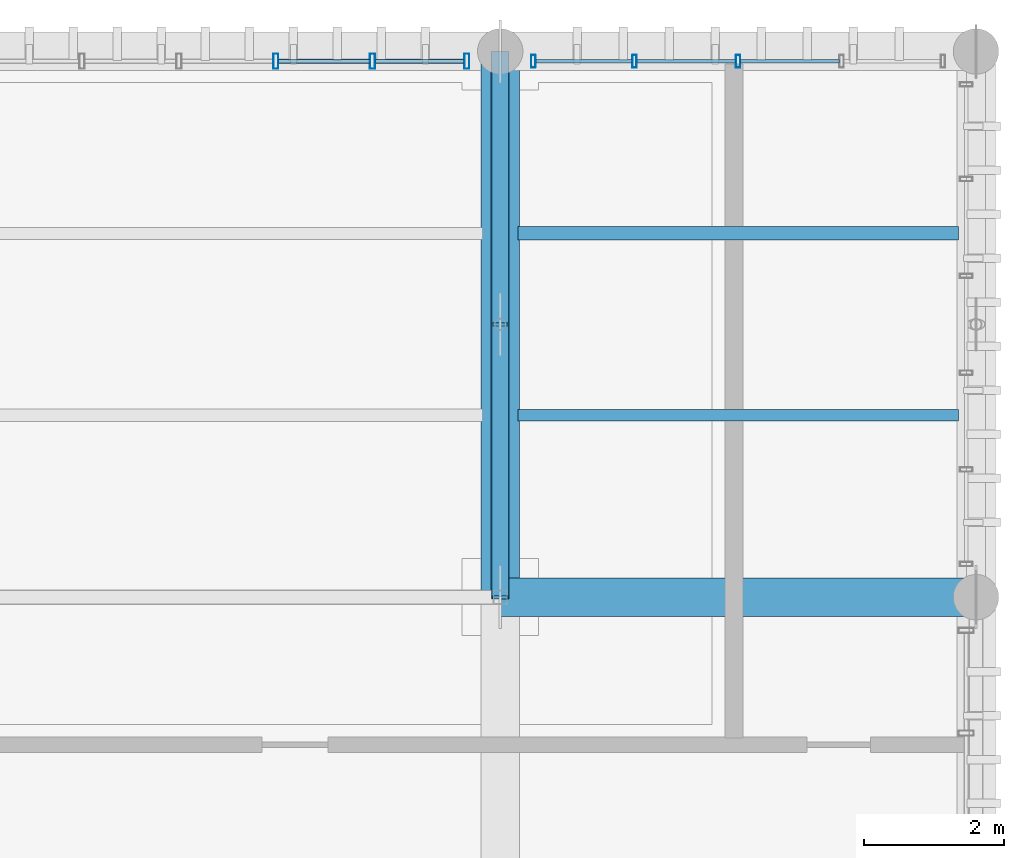
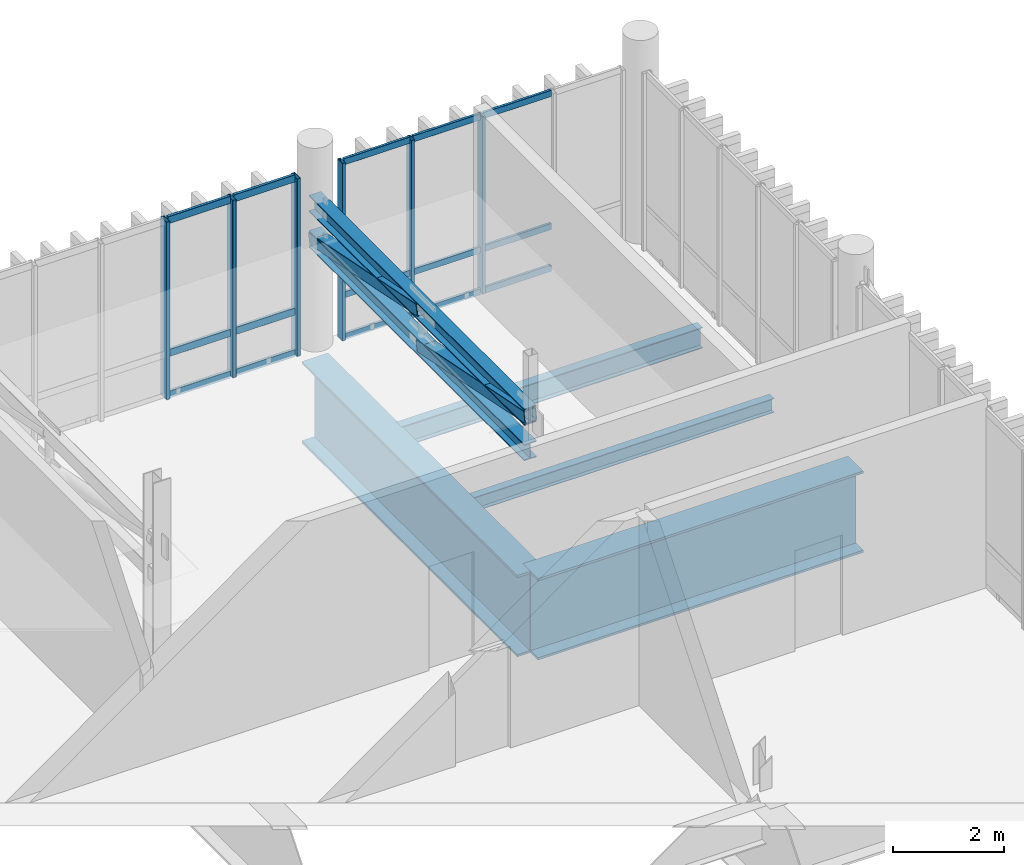
# One storey, part 38 of 53: 25 members, 4 beams, 2 elements without a shape of their own.
"""IFC4 building model written with IfcOpenShell, lengths in metres."""

from ifc_helpers import new_model, si_unit, direction, frame, origin_with_axes, origin_2d_with_axis, place, context, subcontext, project, spatial, hollow_rectangle, i_section, extrude, material, material_profile, profile_set, type_object, element, aggregate, save


model = new_model("IFC4")

# Units and contexts
model_context = context("Model", 3, precision=1e-05, world=origin_with_axes(), true_north=direction((0.0, 1.0)))
body_context = subcontext(model_context, "Body", "Model", "MODEL_VIEW")
ifc_project = project(units=[si_unit("LENGTHUNIT", "METRE"), si_unit("AREAUNIT", "SQUARE_METRE"), si_unit("VOLUMEUNIT", "CUBIC_METRE"), si_unit("PLANEANGLEUNIT", "RADIAN"), si_unit("MASSUNIT", "GRAM", prefix="KILO"), si_unit("THERMODYNAMICTEMPERATUREUNIT", "KELVIN")], contexts=[model_context])

# Site, building, storey
site_placement = place(None, origin_with_axes())
site = spatial("IfcSite", under=ifc_project, at=site_placement, CompositionType="ELEMENT")
building_placement = place(site_placement, origin_with_axes())
building = spatial("IfcBuilding", under=site, at=building_placement, Name="Montbau Bow Law Courts", CompositionType="ELEMENT")
storey_placement = place(building_placement, frame((0.0, 0.0, 39.0), z_axis=(0.0, 0.0, 1.0), x_axis=(1.0, 0.0, 0.0)))
storey = spatial("IfcBuildingStorey", under=building, at=storey_placement, Name="L08", CompositionType="ELEMENT", Elevation=39.0)

# Beams
ifc_material_1 = material(Name="Steel CSA G40.21 Grade 350W (350 MPa)", Category="steel")
ifc_material_profile_1 = material_profile(ifc_material_1, i_section(OverallWidth=0.191, OverallDepth=0.46, WebThickness=0.0099, FlangeThickness=0.016, at=origin_2d_with_axis()), Name="W460X82", Category="Main", Priority=0)
ifc_profile_set_1 = profile_set([ifc_material_profile_1], Name="Steel CSA G40.21 Grade 350W (350 MPa)")
beam_type_1 = type_object("IfcBeamType", Name="B-JST-01", PredefinedType="JOIST", material=ifc_profile_set_1)
beam_1_placement = place(None, frame((162.851, 108.4, 38.43), z_axis=(1.0, 0.0, 0.0), x_axis=(0.0, 1.0, 0.0)))
element("IfcBeam", 1, at=beam_1_placement, inside=storey, type_object=beam_type_1, Name="JST-L08-S0772:jst2_0772", PredefinedType="JOIST", context=body_context, shape_type="SweptSolid", body=[
    extrude(i_section(OverallWidth=0.191, OverallDepth=0.46, WebThickness=0.0099, FlangeThickness=0.016, at=origin_2d_with_axis()), origin_with_axes(), (0.0, 0.0, 1.0), 6.298),
])
ifc_material_profile_2 = material_profile(ifc_material_1, i_section(OverallWidth=0.166, OverallDepth=0.313, WebThickness=0.0066, FlangeThickness=0.0112, at=origin_2d_with_axis()), Name="W310X45", Category="Main", Priority=0)
ifc_profile_set_2 = profile_set([ifc_material_profile_2], Name="Steel CSA G40.21 Grade 350W (350 MPa)")
beam_type_2 = type_object("IfcBeamType", Name="B-JST-04", PredefinedType="JOIST", material=ifc_profile_set_2)
beam_2_placement = place(None, frame((162.851, 105.8, 38.503), z_axis=(1.0, 0.0, 0.0), x_axis=(0.0, 1.0, 0.0)))
element("IfcBeam", 2, at=beam_2_placement, inside=storey, type_object=beam_type_2, Name="JST-L08-S0771:jst2_0771", PredefinedType="JOIST", context=body_context, shape_type="SweptSolid", body=[
    extrude(i_section(OverallWidth=0.166, OverallDepth=0.313, WebThickness=0.0066, FlangeThickness=0.0112, at=origin_2d_with_axis()), origin_with_axes(), (0.0, 0.0, 1.0), 6.298),
])
ifc_material_2 = material(Name="Steel CSA G40.21 Grade 350WT (350 MPa)", Category="steel")
ifc_material_profile_3 = material_profile(ifc_material_2, i_section(OverallWidth=0.55, OverallDepth=1.8, WebThickness=0.022, FlangeThickness=0.05, at=origin_2d_with_axis()), Name="WWF1800X550", Category="Main", Priority=0)
ifc_profile_set_3 = profile_set([ifc_material_profile_3], Name="Steel CSA G40.21 Grade 350WT (350 MPa)")
beam_type_3 = type_object("IfcBeamType", Name="B-TRG-01", PredefinedType="USERDEFINED", material=ifc_profile_set_3)
beam_3_placement = place(None, frame((162.6, 103.2, 37.76), z_axis=(0.0, 1.0, 0.0), x_axis=(-1.0, 0.0, 0.0)))
element("IfcBeam", 3, at=beam_3_placement, inside=storey, type_object=beam_type_3, Name="TRG-L08-S0103:bm2_0106", ObjectType="GIRDER", PredefinedType="USERDEFINED", context=body_context, shape_type="SweptSolid", body=[
    extrude(i_section(OverallWidth=0.55, OverallDepth=1.8, WebThickness=0.022, FlangeThickness=0.05, at=origin_2d_with_axis()), origin_with_axes(), (0.0, 0.0, 1.0), 7.8),
])
beam_4_placement = place(None, frame((162.6, 103.2, 37.76), z_axis=(1.0, 0.0, 0.0), x_axis=(0.0, 1.0, 0.0)))
element("IfcBeam", 4, at=beam_4_placement, inside=storey, type_object=beam_type_3, Name="TRG-L08-S0115:bm2_0118", ObjectType="GIRDER", PredefinedType="USERDEFINED", context=body_context, shape_type="SweptSolid", body=[
    extrude(i_section(OverallWidth=0.55, OverallDepth=1.8, WebThickness=0.022, FlangeThickness=0.05, at=origin_2d_with_axis()), origin_with_axes(), (0.0, 0.0, 1.0), 6.8),
])

# Members
ifc_material_profile_4 = material_profile(ifc_material_1, hollow_rectangle(XDim=0.254, YDim=0.254, WallThickness=0.0127, InnerFilletRadius=0.0254, OuterFilletRadius=0.0127, at=origin_2d_with_axis()), Name="HSS254X254X13", Category="Main", Priority=0)
ifc_profile_set_4 = profile_set([ifc_material_profile_4], Name="Steel CSA G40.21 Grade 350W (350 MPa)")
member_type_1 = type_object("IfcMemberType", Name="M-BRC-01", PredefinedType="BRACE", material=ifc_profile_set_4)
for number, where, z_axis, x_axis, name in (
    (5, (162.6, 103.2, 42.1), (0.0, 0.980580676, -0.196116135), (-1.0, 0.0, 0.0), "Diagonal brace BRC-L08-035"),
    (6, (162.6, 107.1, 42.1), (0.0, 0.980580676, -0.196116135), (-1.0, 0.0, 0.0), "Diagonal brace BRC-L08-036"),
):
    element("IfcMember", number, at=place(None, frame(where, z_axis=z_axis, x_axis=x_axis)), inside=storey, type_object=member_type_1, Name=name, PredefinedType="BRACE", context=body_context, shape_type="SweptSolid", body=[
        extrude(hollow_rectangle(XDim=0.254, YDim=0.254, WallThickness=0.0127, InnerFilletRadius=0.0254, OuterFilletRadius=0.0127, at=origin_2d_with_axis()), origin_with_axes(), (0.0, 0.0, 1.0), 3.977235),
    ])
ifc_material_profile_5 = material_profile(ifc_material_2, i_section(OverallWidth=0.257, OverallDepth=0.363, WebThickness=0.013, FlangeThickness=0.0217, at=origin_2d_with_axis()), Name="W360X122", Category="Main", Priority=0)
ifc_profile_set_5 = profile_set([ifc_material_profile_5], Name="Steel CSA G40.21 Grade 350WT (350 MPa)")
member_type_2 = type_object("IfcMemberType", Name="M-CHD-01", PredefinedType="CHORD", material=ifc_profile_set_5)
for number, where, z_axis, x_axis, name in (
    (7, (162.6, 103.2, 41.32), (0.0, 1.0, 0.0), (-1.0, 0.0, 0.0), "CHB-L08-18:chb_0018"),
    (8, (162.6, 103.2, 42.1), (0.0, 1.0, 0.0), (-1.0, 0.0, 0.0), "CHD-L08-18:mbr_0069"),
):
    element("IfcMember", number, at=place(None, frame(where, z_axis=z_axis, x_axis=x_axis)), inside=storey, type_object=member_type_2, Name=name, PredefinedType="CHORD", context=body_context, shape_type="SweptSolid", body=[
        extrude(i_section(OverallWidth=0.257, OverallDepth=0.363, WebThickness=0.013, FlangeThickness=0.0217, at=origin_2d_with_axis()), origin_with_axes(), (0.0, 0.0, 1.0), 7.8),
    ])

# Curtain wall, members
ifc_material_3 = material(Name="Thermally Broken Extruded Aluminium AA 6063-T6", Category="aluminium")
curtain_wall_type = type_object("IfcCurtainWallType", Name="CW-CRM-03", PredefinedType="NOTDEFINED", material=ifc_material_3)
curtain_wall_1_placement = place(None, frame((155.24, 110.86, 39.0), z_axis=(0.0, 0.0, 1.0), x_axis=(1.0, 0.0, 0.0)))
curtain_wall_1 = element("IfcCurtainWall", 9, at=curtain_wall_1_placement, inside=storey, type_object=curtain_wall_type, Name="CW-L08-378:cw_0378", PredefinedType="NOTDEFINED")
ifc_material_profile_6 = material_profile(ifc_material_3, hollow_rectangle(XDim=0.075, YDim=0.22, WallThickness=0.005, InnerFilletRadius=0.01, OuterFilletRadius=0.005, at=origin_2d_with_axis()), Name="CWM-220X75", Category="Main", Priority=0)
ifc_profile_set_6 = profile_set([ifc_material_profile_6], Name="Thermally Broken Extruded Aluminium AA 6063-T6")
member_type_3 = type_object("IfcMemberType", Name="M-MUL-01", PredefinedType="MULLION", material=ifc_profile_set_6)
member_1_placement = place(None, frame((159.392, 110.86, 39.0), z_axis=(0.0, 0.0, 1.0), x_axis=(1.0, 0.0, 0.0)))
member_1 = element("IfcMember", 10, at=member_1_placement, type_object=member_type_3, Name="CW-L08-378-M04:cw_0378_M04", PredefinedType="MULLION", context=body_context, shape_type="SweptSolid", body=[
    extrude(hollow_rectangle(XDim=0.075, YDim=0.22, WallThickness=0.005, InnerFilletRadius=0.01, OuterFilletRadius=0.005, at=origin_2d_with_axis()), origin_with_axes(), (0.0, 0.0, 1.0), 3.92),
])
member_2_placement = place(None, frame((160.776, 110.86, 39.0), z_axis=(0.0, 0.0, 1.0), x_axis=(1.0, 0.0, 0.0)))
member_2 = element("IfcMember", 11, at=member_2_placement, type_object=member_type_3, Name="CW-L08-378-M05:cw_0378_M05", PredefinedType="MULLION", context=body_context, shape_type="SweptSolid", body=[
    extrude(hollow_rectangle(XDim=0.075, YDim=0.22, WallThickness=0.005, InnerFilletRadius=0.01, OuterFilletRadius=0.005, at=origin_2d_with_axis()), origin_with_axes(), (0.0, 0.0, 1.0), 3.92),
])
member_3_placement = place(None, frame((162.122, 110.86, 39.0), z_axis=(0.0, 0.0, 1.0), x_axis=(1.0, 0.0, 0.0)))
member_3 = element("IfcMember", 12, at=member_3_placement, type_object=member_type_3, Name="CW-L08-378-M06:cw_0378_M06", PredefinedType="MULLION", context=body_context, shape_type="SweptSolid", body=[
    extrude(hollow_rectangle(XDim=0.075, YDim=0.22, WallThickness=0.005, InnerFilletRadius=0.01, OuterFilletRadius=0.005, at=origin_2d_with_axis()), origin_with_axes(), (0.0, 0.0, 1.0), 3.92),
])

curtain_wall_2_placement = place(None, frame((163.04, 110.86, 39.0), z_axis=(0.0, 0.0, 1.0), x_axis=(1.0, 0.0, 0.0)))
curtain_wall_2 = element("IfcCurtainWall", 13, at=curtain_wall_2_placement, inside=storey, type_object=curtain_wall_type, Name="CW-L08-379:cw_0379", PredefinedType="NOTDEFINED")
ifc_material_profile_7 = material_profile(ifc_material_3, hollow_rectangle(XDim=0.065, YDim=0.18, WallThickness=0.005, InnerFilletRadius=0.01, OuterFilletRadius=0.005, at=origin_2d_with_axis()), Name="CWM-180X65", Category="Main", Priority=0)
ifc_profile_set_7 = profile_set([ifc_material_profile_7], Name="Thermally Broken Extruded Aluminium AA 6063-T6")
member_type_4 = type_object("IfcMemberType", Name="M-MUL-02", PredefinedType="MULLION", material=ifc_profile_set_7)
member_4_placement = place(None, frame((163.073, 110.86, 39.0), z_axis=(0.0, 0.0, 1.0), x_axis=(1.0, 0.0, 0.0)))
member_4 = element("IfcMember", 14, at=member_4_placement, type_object=member_type_4, Name="CW-L08-379-M01:cw_0379_M01", PredefinedType="MULLION", context=body_context, shape_type="SweptSolid", body=[
    extrude(hollow_rectangle(XDim=0.065, YDim=0.18, WallThickness=0.005, InnerFilletRadius=0.01, OuterFilletRadius=0.005, at=origin_2d_with_axis()), origin_with_axes(), (0.0, 0.0, 1.0), 3.92),
])
member_5_placement = place(None, frame((164.52, 110.86, 39.0), z_axis=(0.0, 0.0, 1.0), x_axis=(1.0, 0.0, 0.0)))
member_5 = element("IfcMember", 15, at=member_5_placement, type_object=member_type_4, Name="CW-L08-379-M02:cw_0379_M02", PredefinedType="MULLION", context=body_context, shape_type="SweptSolid", body=[
    extrude(hollow_rectangle(XDim=0.065, YDim=0.18, WallThickness=0.005, InnerFilletRadius=0.01, OuterFilletRadius=0.005, at=origin_2d_with_axis()), origin_with_axes(), (0.0, 0.0, 1.0), 3.92),
])
member_6_placement = place(None, frame((166.0, 110.86, 39.0), z_axis=(0.0, 0.0, 1.0), x_axis=(1.0, 0.0, 0.0)))
member_6 = element("IfcMember", 16, at=member_6_placement, type_object=member_type_4, Name="CW-L08-379-M03:cw_0379_M03", PredefinedType="MULLION", context=body_context, shape_type="SweptSolid", body=[
    extrude(hollow_rectangle(XDim=0.065, YDim=0.18, WallThickness=0.005, InnerFilletRadius=0.01, OuterFilletRadius=0.005, at=origin_2d_with_axis()), origin_with_axes(), (0.0, 0.0, 1.0), 3.92),
])

# Member
ifc_material_profile_8 = material_profile(ifc_material_3, hollow_rectangle(XDim=0.06, YDim=0.16, WallThickness=0.004, InnerFilletRadius=0.008, OuterFilletRadius=0.004, at=origin_2d_with_axis()), Name="CWT-160X60", Category="Main", Priority=0)
ifc_profile_set_8 = profile_set([ifc_material_profile_8], Name="Thermally Broken Extruded Aluminium AA 6063-T6")
member_type_5 = type_object("IfcMemberType", Name="M-TRN-01", PredefinedType="USERDEFINED", material=ifc_profile_set_8)
member_7_placement = place(None, frame((159.431, 110.86, 39.03), z_axis=(1.0, 0.0, 0.0), x_axis=(0.0, 1.0, 0.0)))
member_7 = element("IfcMember", 17, at=member_7_placement, type_object=member_type_5, Name="CW-L08-378-T04-1:cw_0378_T04_1", ObjectType="TRANSOM", PredefinedType="USERDEFINED", context=body_context, shape_type="SweptSolid", body=[
    extrude(hollow_rectangle(XDim=0.06, YDim=0.16, WallThickness=0.004, InnerFilletRadius=0.008, OuterFilletRadius=0.004, at=origin_2d_with_axis()), origin_with_axes(), (0.0, 0.0, 1.0), 1.306),
])

member_8_placement = place(None, frame((159.431, 110.86, 39.95), z_axis=(1.0, 0.0, 0.0), x_axis=(0.0, 1.0, 0.0)))
member_8 = element("IfcMember", 18, at=member_8_placement, type_object=member_type_5, Name="CW-L08-378-T04-2:cw_0378_T04_2", ObjectType="TRANSOM", PredefinedType="USERDEFINED", context=body_context, shape_type="SweptSolid", body=[
    extrude(hollow_rectangle(XDim=0.06, YDim=0.16, WallThickness=0.004, InnerFilletRadius=0.008, OuterFilletRadius=0.004, at=origin_2d_with_axis()), origin_with_axes(), (0.0, 0.0, 1.0), 1.306),
])

member_9_placement = place(None, frame((159.431, 110.86, 42.89), z_axis=(1.0, 0.0, 0.0), x_axis=(0.0, 1.0, 0.0)))
member_9 = element("IfcMember", 19, at=member_9_placement, type_object=member_type_5, Name="CW-L08-378-T04-3:cw_0378_T04_3", ObjectType="TRANSOM", PredefinedType="USERDEFINED", context=body_context, shape_type="SweptSolid", body=[
    extrude(hollow_rectangle(XDim=0.06, YDim=0.16, WallThickness=0.004, InnerFilletRadius=0.008, OuterFilletRadius=0.004, at=origin_2d_with_axis()), origin_with_axes(), (0.0, 0.0, 1.0), 1.306),
])

member_10_placement = place(None, frame((160.815, 110.86, 39.03), z_axis=(1.0, 0.0, 0.0), x_axis=(0.0, 1.0, 0.0)))
member_10 = element("IfcMember", 20, at=member_10_placement, type_object=member_type_5, Name="CW-L08-378-T05-1:cw_0378_T05_1", ObjectType="TRANSOM", PredefinedType="USERDEFINED", context=body_context, shape_type="SweptSolid", body=[
    extrude(hollow_rectangle(XDim=0.06, YDim=0.16, WallThickness=0.004, InnerFilletRadius=0.008, OuterFilletRadius=0.004, at=origin_2d_with_axis()), origin_with_axes(), (0.0, 0.0, 1.0), 1.268),
])

member_11_placement = place(None, frame((160.815, 110.86, 39.95), z_axis=(1.0, 0.0, 0.0), x_axis=(0.0, 1.0, 0.0)))
member_11 = element("IfcMember", 21, at=member_11_placement, type_object=member_type_5, Name="CW-L08-378-T05-2:cw_0378_T05_2", ObjectType="TRANSOM", PredefinedType="USERDEFINED", context=body_context, shape_type="SweptSolid", body=[
    extrude(hollow_rectangle(XDim=0.06, YDim=0.16, WallThickness=0.004, InnerFilletRadius=0.008, OuterFilletRadius=0.004, at=origin_2d_with_axis()), origin_with_axes(), (0.0, 0.0, 1.0), 1.268),
])

member_12_placement = place(None, frame((160.815, 110.86, 42.89), z_axis=(1.0, 0.0, 0.0), x_axis=(0.0, 1.0, 0.0)))
member_12 = element("IfcMember", 22, at=member_12_placement, type_object=member_type_5, Name="CW-L08-378-T05-3:cw_0378_T05_3", ObjectType="TRANSOM", PredefinedType="USERDEFINED", context=body_context, shape_type="SweptSolid", body=[
    extrude(hollow_rectangle(XDim=0.06, YDim=0.16, WallThickness=0.004, InnerFilletRadius=0.008, OuterFilletRadius=0.004, at=origin_2d_with_axis()), origin_with_axes(), (0.0, 0.0, 1.0), 1.268),
])

aggregate(curtain_wall_1, [member_1, member_2, member_3, member_7, member_8, member_9, member_10, member_11, member_12])

ifc_material_profile_9 = material_profile(ifc_material_3, hollow_rectangle(XDim=0.055, YDim=0.14, WallThickness=0.004, InnerFilletRadius=0.008, OuterFilletRadius=0.004, at=origin_2d_with_axis()), Name="CWT-140X55", Category="Main", Priority=0)
ifc_profile_set_9 = profile_set([ifc_material_profile_9], Name="Thermally Broken Extruded Aluminium AA 6063-T6")
member_type_6 = type_object("IfcMemberType", Name="M-TRN-02", PredefinedType="USERDEFINED", material=ifc_profile_set_9)
member_13_placement = place(None, frame((163.108, 110.86, 39.028), z_axis=(1.0, 0.0, 0.0), x_axis=(0.0, 1.0, 0.0)))
member_13 = element("IfcMember", 23, at=member_13_placement, type_object=member_type_6, Name="CW-L08-379-T01-1:cw_0379_T01_1", ObjectType="TRANSOM", PredefinedType="USERDEFINED", context=body_context, shape_type="SweptSolid", body=[
    extrude(hollow_rectangle(XDim=0.055, YDim=0.14, WallThickness=0.004, InnerFilletRadius=0.008, OuterFilletRadius=0.004, at=origin_2d_with_axis()), origin_with_axes(), (0.0, 0.0, 1.0), 1.378),
])

member_14_placement = place(None, frame((163.108, 110.86, 39.95), z_axis=(1.0, 0.0, 0.0), x_axis=(0.0, 1.0, 0.0)))
member_14 = element("IfcMember", 24, at=member_14_placement, type_object=member_type_6, Name="CW-L08-379-T01-2:cw_0379_T01_2", ObjectType="TRANSOM", PredefinedType="USERDEFINED", context=body_context, shape_type="SweptSolid", body=[
    extrude(hollow_rectangle(XDim=0.055, YDim=0.14, WallThickness=0.004, InnerFilletRadius=0.008, OuterFilletRadius=0.004, at=origin_2d_with_axis()), origin_with_axes(), (0.0, 0.0, 1.0), 1.378),
])

member_15_placement = place(None, frame((163.108, 110.86, 42.892), z_axis=(1.0, 0.0, 0.0), x_axis=(0.0, 1.0, 0.0)))
member_15 = element("IfcMember", 25, at=member_15_placement, type_object=member_type_6, Name="CW-L08-379-T01-3:cw_0379_T01_3", ObjectType="TRANSOM", PredefinedType="USERDEFINED", context=body_context, shape_type="SweptSolid", body=[
    extrude(hollow_rectangle(XDim=0.055, YDim=0.14, WallThickness=0.004, InnerFilletRadius=0.008, OuterFilletRadius=0.004, at=origin_2d_with_axis()), origin_with_axes(), (0.0, 0.0, 1.0), 1.378),
])

member_16_placement = place(None, frame((164.554, 110.86, 39.028), z_axis=(1.0, 0.0, 0.0), x_axis=(0.0, 1.0, 0.0)))
member_16 = element("IfcMember", 26, at=member_16_placement, type_object=member_type_6, Name="CW-L08-379-T02-1:cw_0379_T02_1", ObjectType="TRANSOM", PredefinedType="USERDEFINED", context=body_context, shape_type="SweptSolid", body=[
    extrude(hollow_rectangle(XDim=0.055, YDim=0.14, WallThickness=0.004, InnerFilletRadius=0.008, OuterFilletRadius=0.004, at=origin_2d_with_axis()), origin_with_axes(), (0.0, 0.0, 1.0), 1.411),
])

member_17_placement = place(None, frame((164.554, 110.86, 39.95), z_axis=(1.0, 0.0, 0.0), x_axis=(0.0, 1.0, 0.0)))
member_17 = element("IfcMember", 27, at=member_17_placement, type_object=member_type_6, Name="CW-L08-379-T02-2:cw_0379_T02_2", ObjectType="TRANSOM", PredefinedType="USERDEFINED", context=body_context, shape_type="SweptSolid", body=[
    extrude(hollow_rectangle(XDim=0.055, YDim=0.14, WallThickness=0.004, InnerFilletRadius=0.008, OuterFilletRadius=0.004, at=origin_2d_with_axis()), origin_with_axes(), (0.0, 0.0, 1.0), 1.411),
])

member_18_placement = place(None, frame((164.554, 110.86, 42.892), z_axis=(1.0, 0.0, 0.0), x_axis=(0.0, 1.0, 0.0)))
member_18 = element("IfcMember", 28, at=member_18_placement, type_object=member_type_6, Name="CW-L08-379-T02-3:cw_0379_T02_3", ObjectType="TRANSOM", PredefinedType="USERDEFINED", context=body_context, shape_type="SweptSolid", body=[
    extrude(hollow_rectangle(XDim=0.055, YDim=0.14, WallThickness=0.004, InnerFilletRadius=0.008, OuterFilletRadius=0.004, at=origin_2d_with_axis()), origin_with_axes(), (0.0, 0.0, 1.0), 1.411),
])

member_19_placement = place(None, frame((166.034, 110.86, 39.028), z_axis=(1.0, 0.0, 0.0), x_axis=(0.0, 1.0, 0.0)))
member_19 = element("IfcMember", 29, at=member_19_placement, type_object=member_type_6, Name="CW-L08-379-T03-1:cw_0379_T03_1", ObjectType="TRANSOM", PredefinedType="USERDEFINED", context=body_context, shape_type="SweptSolid", body=[
    extrude(hollow_rectangle(XDim=0.055, YDim=0.14, WallThickness=0.004, InnerFilletRadius=0.008, OuterFilletRadius=0.004, at=origin_2d_with_axis()), origin_with_axes(), (0.0, 0.0, 1.0), 1.412),
])

member_20_placement = place(None, frame((166.034, 110.86, 39.95), z_axis=(1.0, 0.0, 0.0), x_axis=(0.0, 1.0, 0.0)))
member_20 = element("IfcMember", 30, at=member_20_placement, type_object=member_type_6, Name="CW-L08-379-T03-2:cw_0379_T03_2", ObjectType="TRANSOM", PredefinedType="USERDEFINED", context=body_context, shape_type="SweptSolid", body=[
    extrude(hollow_rectangle(XDim=0.055, YDim=0.14, WallThickness=0.004, InnerFilletRadius=0.008, OuterFilletRadius=0.004, at=origin_2d_with_axis()), origin_with_axes(), (0.0, 0.0, 1.0), 1.412),
])

member_21_placement = place(None, frame((166.034, 110.86, 42.892), z_axis=(1.0, 0.0, 0.0), x_axis=(0.0, 1.0, 0.0)))
member_21 = element("IfcMember", 31, at=member_21_placement, type_object=member_type_6, Name="CW-L08-379-T03-3:cw_0379_T03_3", ObjectType="TRANSOM", PredefinedType="USERDEFINED", context=body_context, shape_type="SweptSolid", body=[
    extrude(hollow_rectangle(XDim=0.055, YDim=0.14, WallThickness=0.004, InnerFilletRadius=0.008, OuterFilletRadius=0.004, at=origin_2d_with_axis()), origin_with_axes(), (0.0, 0.0, 1.0), 1.412),
])

aggregate(curtain_wall_2, [member_4, member_5, member_6, member_13, member_14, member_15, member_16, member_17, member_18, member_19, member_20, member_21])

save(model, "model.ifc")
